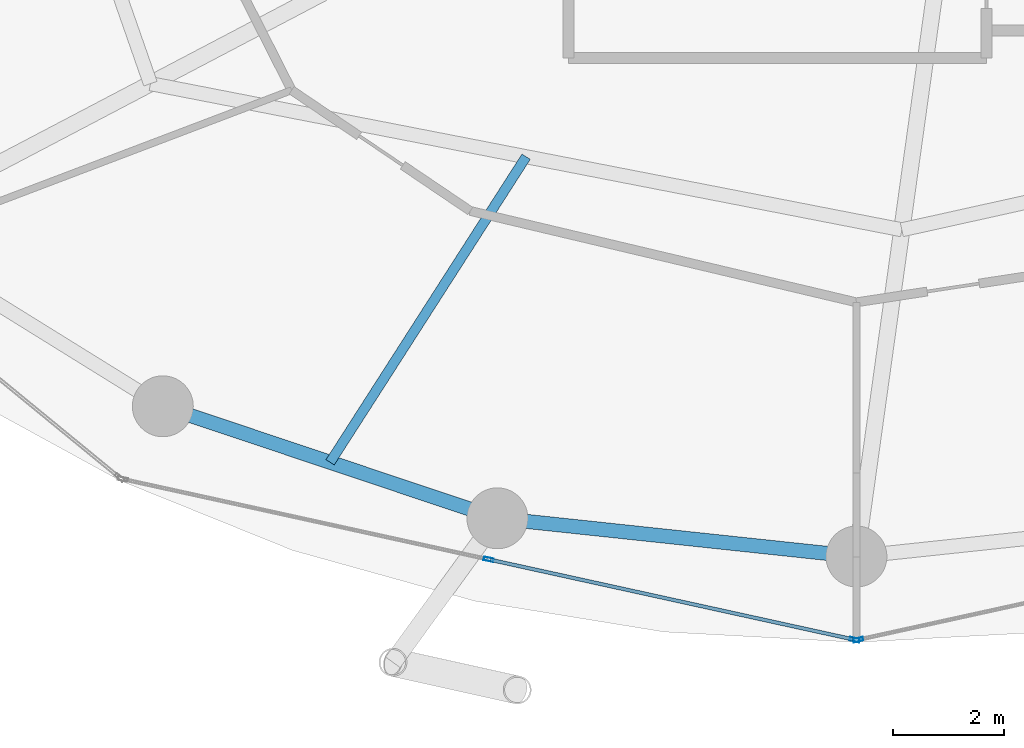
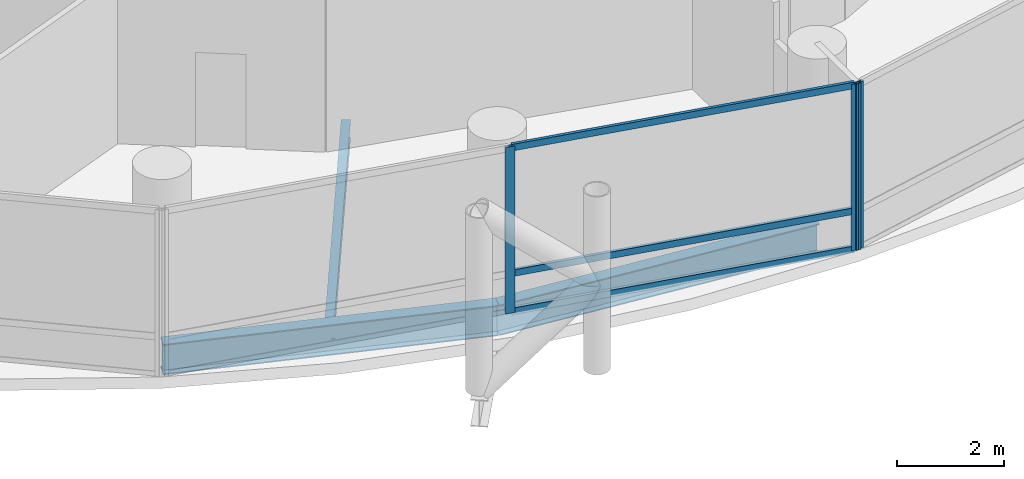
# One storey, part 4 of 25: 6 members, 3 beams, 2 elements without a shape of their own.
"""IFC4 building model written with IfcOpenShell, lengths in metres."""

from ifc_helpers import new_model, si_unit, direction, frame, origin, origin_2d, place, context, subcontext, project, spatial, hollow_rectangle, i_section, extrude, material, layer, layer_set, material_profile, profile_set, type_object, element, aggregate, save


model = new_model("IFC4")

# Units and contexts
model_context = context("Model", 3, precision=1e-05, world=origin(), true_north=direction((0.0, 1.0)))
body_context = subcontext(model_context, "Body", "Model", "MODEL_VIEW")
ifc_project = project(units=[si_unit("LENGTHUNIT", "METRE"), si_unit("AREAUNIT", "SQUARE_METRE"), si_unit("VOLUMEUNIT", "CUBIC_METRE"), si_unit("PLANEANGLEUNIT", "RADIAN"), si_unit("MASSUNIT", "GRAM", prefix="KILO")], contexts=[model_context])

# Site, building, storey
site_placement = place(None, origin())
site = spatial("IfcSite", under=ifc_project, at=site_placement, CompositionType="ELEMENT")
building_placement = place(site_placement, origin())
building = spatial("IfcBuilding", under=site, at=building_placement, Name="Nuhasar Tower", CompositionType="ELEMENT")
storey_placement = place(building_placement, frame((0.0, 0.0, 49.35009765625)))
storey = spatial("IfcBuildingStorey", under=building, at=storey_placement, Name="L11", CompositionType="ELEMENT", Elevation=49.35009765625)

# Beams
ifc_material_1 = material(Name="Steel S355", Category="steel")
ifc_material_profile_1 = material_profile(ifc_material_1, i_section(OverallWidth=0.177978515625, OverallDepth=0.406005859375, WebThickness=0.0078125, FlangeThickness=0.0126953125, at=origin_2d()), Name="W16X40")
ifc_profile_set_1 = profile_set([ifc_material_profile_1], Name="Steel S355")
beam_type_1 = type_object("IfcBeamType", Name="BM-JST-W16X40", PredefinedType="JOIST", material=ifc_profile_set_1)
beam_1_placement = place(storey_placement, frame((33.035888671875, 13.77001953125, -0.463134765625), z_axis=(-0.539944240715, -0.841700788237, 0.0), x_axis=(0.841700788237, -0.539944240715, 0.0)))
element("IfcBeam", 1, at=beam_1_placement, inside=storey, type_object=beam_type_1, Name="L11 Secondary Floor Joist 01", PredefinedType="JOIST", context=body_context, shape_type="SweptSolid", body=[
    extrude(i_section(OverallWidth=0.177978515625, OverallDepth=0.406005859375, WebThickness=0.0078125, FlangeThickness=0.0126953125, at=origin_2d()), origin(), (0.0, 0.0, 1.0), 6.555908203125),
])
ifc_material_profile_2 = material_profile(ifc_material_1, i_section(OverallWidth=0.256103515625, OverallDepth=0.693115234375, WebThickness=0.014404296875, FlangeThickness=0.023681640625, at=origin_2d()), Name="W27X114")
ifc_profile_set_2 = profile_set([ifc_material_profile_2], Name="Steel S355")
beam_type_2 = type_object("IfcBeamType", Name="BM-RING-W27X114", PredefinedType="SPANDREL", material=ifc_profile_set_2)
beam_2_placement = place(storey_placement, frame((26.47509765625, 9.262939453125, -0.606201171875), z_axis=(0.94826097201, -0.317491935271, 0.0), x_axis=(0.317491935271, 0.94826097201, 0.0)))
element("IfcBeam", 2, at=beam_2_placement, inside=storey, type_object=beam_type_2, Name="L11 Perimeter Ring Spandrel 17", PredefinedType="SPANDREL", context=body_context, shape_type="SweptSolid", body=[
    extrude(i_section(OverallWidth=0.256103515625, OverallDepth=0.693115234375, WebThickness=0.014404296875, FlangeThickness=0.023681640625, at=origin_2d()), origin(), (0.0, 0.0, 1.0), 6.37158203125),
])
beam_3_placement = place(storey_placement, frame((32.51708984375, 7.239990234375, -0.606201171875), z_axis=(0.994384554061, -0.105827022286, 0.0), x_axis=(0.105827022286, 0.994384554061, 0.0)))
element("IfcBeam", 3, at=beam_3_placement, inside=storey, type_object=beam_type_2, Name="L11 Perimeter Ring Spandrel 18", PredefinedType="SPANDREL", context=body_context, shape_type="SweptSolid", body=[
    extrude(i_section(OverallWidth=0.256103515625, OverallDepth=0.693115234375, WebThickness=0.014404296875, FlangeThickness=0.023681640625, at=origin_2d()), origin(), (0.0, 0.0, 1.0), 6.51953125),
])

# Curtain wall, members
ifc_material_2 = material(Name="Aluminium 6063-T6", Category="aluminium")
ifc_layer = layer(ifc_material_2, 0.199951171875)
ifc_layer_set = layer_set([ifc_layer], Name="Aluminium 6063-T6")
curtain_wall_type = type_object("IfcCurtainWallType", Name="CW-Z1-OFF", PredefinedType="NOTDEFINED", material=ifc_layer_set)
curtain_wall_1_placement = place(storey_placement, origin())
curtain_wall_1 = element("IfcCurtainWall", 4, at=curtain_wall_1_placement, inside=storey, type_object=curtain_wall_type, Name="L11 Unitised Curtain Wall 09", PredefinedType="NOTDEFINED")
ifc_material_profile_3 = material_profile(ifc_material_2, hollow_rectangle(XDim=0.06494140625, YDim=0.179931640625, WallThickness=0.0048828125, at=origin_2d()), Name="CWM-2")
ifc_profile_set_3 = profile_set([ifc_material_profile_3], Name="Aluminium 6063-T6")
member_type_1 = type_object("IfcMemberType", Name="CW-MUL-S2", PredefinedType="MULLION", material=ifc_profile_set_3)
member_1_placement = place(storey_placement, frame((32.360107421875, 6.49755859375, 0.0), z_axis=(0.0, 0.0, 1.0), x_axis=(0.214398737637, 0.976746221544, 0.0)))
member_1 = element("IfcMember", 5, at=member_1_placement, type_object=member_type_1, Name="CW-Z1 mullion 2", PredefinedType="MULLION", context=body_context, shape_type="SweptSolid", body=[
    extrude(hollow_rectangle(XDim=0.06494140625, YDim=0.179931640625, WallThickness=0.0048828125, at=origin_2d()), origin(), (0.0, 0.0, 1.0), 3.789794921875),
])
member_2_placement = place(storey_placement, frame((38.96826171875, 5.046875, 0.0), z_axis=(0.0, 0.0, 1.0), x_axis=(0.214398737637, 0.976746221544, 0.0)))
member_2 = element("IfcMember", 6, at=member_2_placement, type_object=member_type_1, Name="CW-Z1 mullion 3", PredefinedType="MULLION", context=body_context, shape_type="SweptSolid", body=[
    extrude(hollow_rectangle(XDim=0.06494140625, YDim=0.179931640625, WallThickness=0.0048828125, at=origin_2d()), origin(), (0.0, 0.0, 1.0), 3.789794921875),
])

# Curtain wall, member
curtain_wall_2_placement = place(storey_placement, origin())
curtain_wall_2 = element("IfcCurtainWall", 7, at=curtain_wall_2_placement, inside=storey, type_object=curtain_wall_type, Name="L11 Unitised Curtain Wall 10", PredefinedType="NOTDEFINED")
member_3_placement = place(storey_placement, frame((39.03173828125, 5.046875, 0.0), z_axis=(0.0, 0.0, 1.0), x_axis=(-0.214398737637, 0.976746221544, 0.0)))
member_3 = element("IfcMember", 8, at=member_3_placement, type_object=member_type_1, Name="CW-Z1 mullion 1", PredefinedType="MULLION", context=body_context, shape_type="SweptSolid", body=[
    extrude(hollow_rectangle(XDim=0.06494140625, YDim=0.179931640625, WallThickness=0.0048828125, at=origin_2d()), origin(), (0.0, 0.0, 1.0), 3.789794921875),
])
aggregate(curtain_wall_2, [member_3])

# Member
ifc_material_profile_4 = material_profile(ifc_material_2, hollow_rectangle(XDim=0.06494140625, YDim=0.14990234375, WallThickness=0.00439453125, at=origin_2d()), Name="CWT-2")
ifc_profile_set_4 = profile_set([ifc_material_profile_4], Name="Aluminium 6063-T6")
member_type_2 = type_object("IfcMemberType", Name="CW-TRN-S2", PredefinedType="USERDEFINED", material=ifc_profile_set_4)
member_4_placement = place(storey_placement, frame((32.391845703125, 6.490478515625, 0.032470703125), z_axis=(0.976747879138, -0.214391185916, 0.0), x_axis=(0.214391185916, 0.976747879138, 0.0)))
member_4 = element("IfcMember", 9, at=member_4_placement, type_object=member_type_2, Name="CW-Z1 transom 2.1", ObjectType="TRANSOM", PredefinedType="USERDEFINED", context=body_context, shape_type="SweptSolid", body=[
    extrude(hollow_rectangle(XDim=0.06494140625, YDim=0.14990234375, WallThickness=0.00439453125, at=origin_2d()), origin(), (0.0, 0.0, 1.0), 6.700439453125),
])

member_5_placement = place(storey_placement, frame((32.391845703125, 6.490478515625, 0.89990234375), z_axis=(0.976747879138, -0.214391185916, 0.0), x_axis=(0.214391185916, 0.976747879138, 0.0)))
member_5 = element("IfcMember", 10, at=member_5_placement, type_object=member_type_2, Name="CW-Z1 transom 2.2", ObjectType="TRANSOM", PredefinedType="USERDEFINED", context=body_context, shape_type="SweptSolid", body=[
    extrude(hollow_rectangle(XDim=0.06494140625, YDim=0.14990234375, WallThickness=0.00439453125, at=origin_2d()), origin(), (0.0, 0.0, 1.0), 6.700439453125),
])

member_6_placement = place(storey_placement, frame((32.391845703125, 6.490478515625, 3.75732421875), z_axis=(0.976747879138, -0.214391185916, 0.0), x_axis=(0.214391185916, 0.976747879138, 0.0)))
member_6 = element("IfcMember", 11, at=member_6_placement, type_object=member_type_2, Name="CW-Z1 transom 2.3", ObjectType="TRANSOM", PredefinedType="USERDEFINED", context=body_context, shape_type="SweptSolid", body=[
    extrude(hollow_rectangle(XDim=0.06494140625, YDim=0.14990234375, WallThickness=0.00439453125, at=origin_2d()), origin(), (0.0, 0.0, 1.0), 6.700439453125),
])

aggregate(curtain_wall_1, [member_1, member_2, member_4, member_5, member_6])

save(model, "model.ifc")
